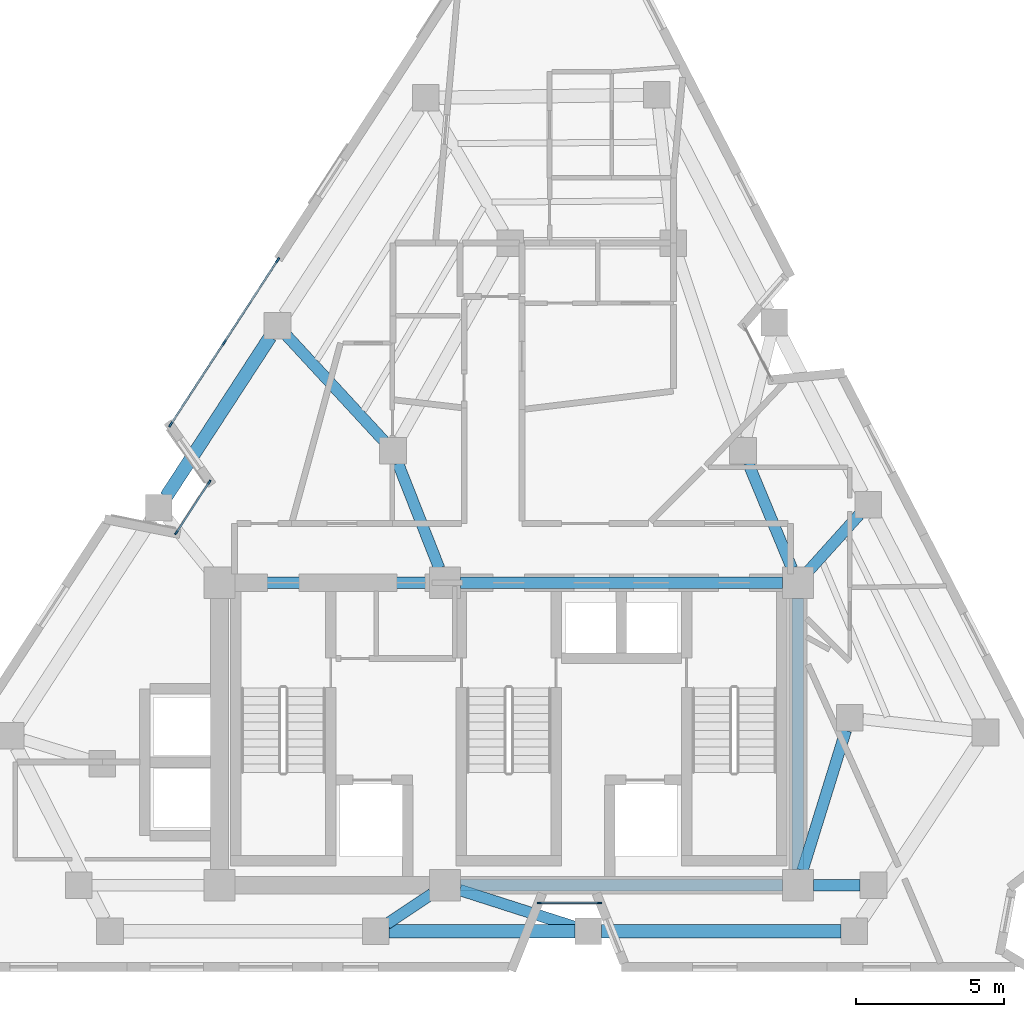
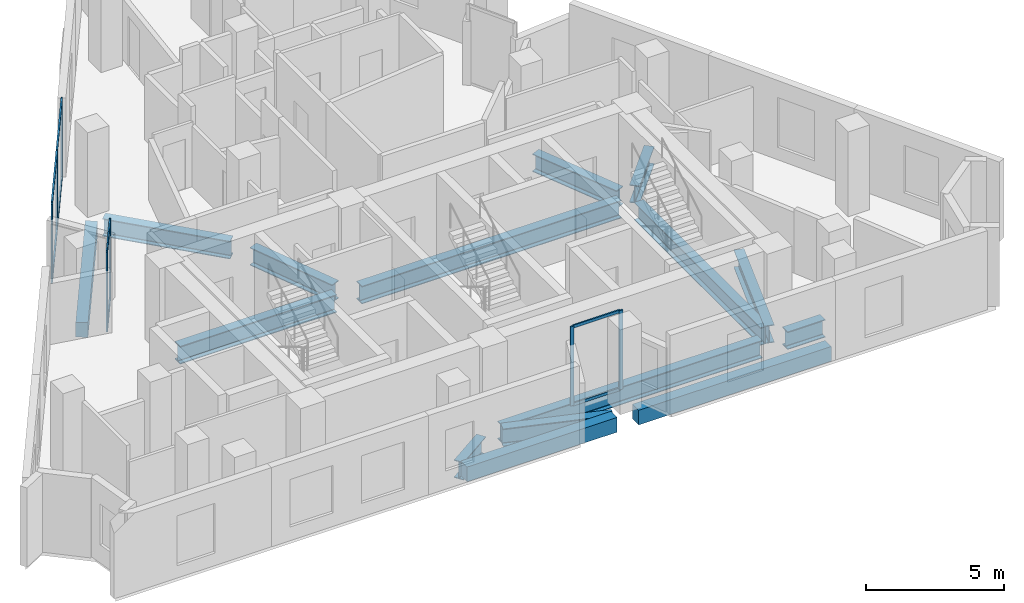
# One storey, part 2 of 9: 15 beams, 15 members, 3 elements without a shape of their own.
"""IFC4 building model written with IfcOpenShell, lengths in metres."""

from ifc_helpers import new_model, si_unit, direction, frame, origin, origin_2d, place, context, subcontext, project, spatial, rectangle, i_section, extrude, material, layer, layer_set, material_profile, profile_set, type_object, element, aggregate, save


model = new_model("IFC4")

# Units and contexts
model_context = context("Model", 3, precision=1e-05, world=origin(), true_north=direction((0.0, 1.0)))
body_context = subcontext(model_context, "Body", "Model", "MODEL_VIEW")
ifc_project = project(units=[si_unit("LENGTHUNIT", "METRE"), si_unit("AREAUNIT", "SQUARE_METRE"), si_unit("VOLUMEUNIT", "CUBIC_METRE"), si_unit("PLANEANGLEUNIT", "RADIAN"), si_unit("MASSUNIT", "GRAM", prefix="KILO")], contexts=[model_context])

# Site, building, storey
site_placement = place(None, origin())
site = spatial("IfcSite", under=ifc_project, at=site_placement, CompositionType="ELEMENT")
building_placement = place(site_placement, origin())
building = spatial("IfcBuilding", under=site, at=building_placement, Name="Almagre Mirador Tower", CompositionType="ELEMENT")
storey_placement = place(building_placement, frame((0.0, 0.0, 214.5)))
storey = spatial("IfcBuildingStorey", under=building, at=storey_placement, Name="L55", CompositionType="ELEMENT", Elevation=214.5)

# Beams
ifc_material_1 = material(Name="Precast concrete C50/60", Category="concrete")
ifc_material_profile_1 = material_profile(ifc_material_1, rectangle(XDim=0.449951171875, YDim=0.64990234375, at=origin_2d()), Name="RC450X650")
ifc_profile_set_1 = profile_set([ifc_material_profile_1], Name="Precast concrete C50/60")
beam_type_1 = type_object("IfcBeamType", Name="BM-SPN-RC450X650", PredefinedType="SPANDREL", material=ifc_profile_set_1)
beam_1_placement = place(storey_placement, frame((33.26611328125, 3.0, -0.574951171875), z_axis=(1.0, 0.0, 0.0), x_axis=(0.0, 1.0, 0.0)))
element("IfcBeam", 1, at=beam_1_placement, inside=storey, type_object=beam_type_1, Name="L55 perimeter spandrel beam PC02-PC03", PredefinedType="SPANDREL", context=body_context, shape_type="SweptSolid", body=[
    extrude(rectangle(XDim=0.449951171875, YDim=0.64990234375, at=origin_2d()), origin(), (0.0, 0.0, 1.0), 6.267822265625),
])
beam_2_placement = place(storey_placement, frame((40.43408203125, 3.0, -0.574951171875), z_axis=(1.0, 0.0, 0.0), x_axis=(0.0, 1.0, 0.0)))
element("IfcBeam", 2, at=beam_2_placement, inside=storey, type_object=beam_type_1, Name="L55 perimeter spandrel beam PC03-PC04", PredefinedType="SPANDREL", context=body_context, shape_type="SweptSolid", body=[
    extrude(rectangle(XDim=0.449951171875, YDim=0.64990234375, at=origin_2d()), origin(), (0.0, 0.0, 1.0), 8.059814453125),
])
beam_3_placement = place(storey_placement, frame((29.260498046875, 23.039794921875, -0.574951171875), z_axis=(-0.545617994426, -0.838034011337, 0.0), x_axis=(0.838034011337, -0.545617994426, 0.0)))
element("IfcBeam", 3, at=beam_3_placement, inside=storey, type_object=beam_type_1, Name="L55 perimeter spandrel beam PC10-PC11", PredefinedType="SPANDREL", context=body_context, shape_type="SweptSolid", body=[
    extrude(rectangle(XDim=0.449951171875, YDim=0.64990234375, at=origin_2d()), origin(), (0.0, 0.0, 1.0), 6.431396484375),
])
ifc_material_2 = material(Name="Steel ASTM A992 Grade 50", Category="steel")
ifc_material_profile_2 = material_profile(ifc_material_2, i_section(OverallWidth=0.384033203125, OverallDepth=0.784912109375, WebThickness=0.019775390625, FlangeThickness=0.033447265625, FilletRadius=0.02392578125, at=origin_2d()), Name="W30X211")
ifc_profile_set_2 = profile_set([ifc_material_profile_2], Name="Steel ASTM A992 Grade 50")
beam_type_2 = type_object("IfcBeamType", Name="BM-STL-W30X211", PredefinedType="BEAM", material=ifc_profile_set_2)
beam_4_placement = place(storey_placement, frame((35.675048828125, 4.550048828125, -0.642578125), z_axis=(1.0, 0.0, 0.0), x_axis=(0.0, 1.0, 0.0)))
element("IfcBeam", 4, at=beam_4_placement, inside=storey, type_object=beam_type_2, Name="L55 core tie girder CC2-CC3", PredefinedType="BEAM", context=body_context, shape_type="SweptSolid", body=[
    extrude(i_section(OverallWidth=0.384033203125, OverallDepth=0.784912109375, WebThickness=0.019775390625, FlangeThickness=0.033447265625, FilletRadius=0.02392578125, at=origin_2d()), origin(), (0.0, 0.0, 1.0), 10.849853515625),
])
beam_5_placement = place(storey_placement, frame((28.074951171875, 14.75, -0.642578125), z_axis=(1.0, 0.0, 0.0), x_axis=(0.0, 1.0, 0.0)))
element("IfcBeam", 5, at=beam_5_placement, inside=storey, type_object=beam_type_2, Name="L55 core tie girder CC4-CC5", PredefinedType="BEAM", context=body_context, shape_type="SweptSolid", body=[
    extrude(i_section(OverallWidth=0.384033203125, OverallDepth=0.784912109375, WebThickness=0.019775390625, FlangeThickness=0.033447265625, FilletRadius=0.02392578125, at=origin_2d()), origin(), (0.0, 0.0, 1.0), 6.550048828125),
])
beam_6_placement = place(storey_placement, frame((35.675048828125, 14.75, -0.642578125), z_axis=(1.0, 0.0, 0.0), x_axis=(0.0, 1.0, 0.0)))
element("IfcBeam", 6, at=beam_6_placement, inside=storey, type_object=beam_type_2, Name="L55 core tie girder CC5-CC6", PredefinedType="BEAM", context=body_context, shape_type="SweptSolid", body=[
    extrude(i_section(OverallWidth=0.384033203125, OverallDepth=0.784912109375, WebThickness=0.019775390625, FlangeThickness=0.033447265625, FilletRadius=0.02392578125, at=origin_2d()), origin(), (0.0, 0.0, 1.0), 10.849853515625),
])
beam_7_placement = place(storey_placement, frame((47.050048828125, 5.074951171875, -0.642578125), z_axis=(0.0, 1.0, 0.0), x_axis=(-1.0, 0.0, 0.0)))
element("IfcBeam", 7, at=beam_7_placement, inside=storey, type_object=beam_type_2, Name="L55 core tie girder CC3-CC6", PredefinedType="BEAM", context=body_context, shape_type="SweptSolid", body=[
    extrude(i_section(OverallWidth=0.384033203125, OverallDepth=0.784912109375, WebThickness=0.019775390625, FlangeThickness=0.033447265625, FilletRadius=0.02392578125, at=origin_2d()), origin(), (0.0, 0.0, 1.0), 9.150146484375),
])
beam_8_placement = place(storey_placement, frame((49.14990234375, 4.550048828125, -0.642578125), z_axis=(-1.0, 0.0, 0.0), x_axis=(0.0, -1.0, 0.0)))
element("IfcBeam", 8, at=beam_8_placement, inside=storey, type_object=beam_type_2, Name="L55 core tie girder MC2-CC3", PredefinedType="BEAM", context=body_context, shape_type="SweptSolid", body=[
    extrude(i_section(OverallWidth=0.384033203125, OverallDepth=0.784912109375, WebThickness=0.019775390625, FlangeThickness=0.033447265625, FilletRadius=0.02392578125, at=origin_2d()), origin(), (0.0, 0.0, 1.0), 1.574951171875),
])
beam_9_placement = place(storey_placement, frame((48.6669921875, 9.77001953125, -0.642578125), z_axis=(-0.295901717967, -0.955218390372, 0.0), x_axis=(0.955218390372, -0.295901717967, 0.0)))
element("IfcBeam", 9, at=beam_9_placement, inside=storey, type_object=beam_type_2, Name="L55 core tie girder MC3-CC3", PredefinedType="BEAM", context=body_context, shape_type="SweptSolid", body=[
    extrude(i_section(OverallWidth=0.384033203125, OverallDepth=0.784912109375, WebThickness=0.019775390625, FlangeThickness=0.033447265625, FilletRadius=0.02392578125, at=origin_2d()), origin(), (0.0, 0.0, 1.0), 4.939697265625),
])
beam_10_placement = place(storey_placement, frame((45.372802734375, 18.784423828125, -0.642578125), z_axis=(0.383862140668, -0.923390414159, 0.0), x_axis=(0.923390414159, 0.383862140668, 0.0)))
element("IfcBeam", 10, at=beam_10_placement, inside=storey, type_object=beam_type_2, Name="L55 core tie girder MC5-CC6", PredefinedType="BEAM", context=body_context, shape_type="SweptSolid", body=[
    extrude(i_section(OverallWidth=0.384033203125, OverallDepth=0.784912109375, WebThickness=0.019775390625, FlangeThickness=0.033447265625, FilletRadius=0.02392578125, at=origin_2d()), origin(), (0.0, 0.0, 1.0), 3.843994140625),
])
beam_11_placement = place(storey_placement, frame((33.564697265625, 18.78125, -0.642578125), z_axis=(0.365999579355, -0.93061501595, 0.0), x_axis=(0.93061501595, 0.365999579355, 0.0)))
element("IfcBeam", 11, at=beam_11_placement, inside=storey, type_object=beam_type_2, Name="L55 core tie girder MC8-CC5", PredefinedType="BEAM", context=body_context, shape_type="SweptSolid", body=[
    extrude(i_section(OverallWidth=0.384033203125, OverallDepth=0.784912109375, WebThickness=0.019775390625, FlangeThickness=0.033447265625, FilletRadius=0.02392578125, at=origin_2d()), origin(), (0.0, 0.0, 1.0), 3.806884765625),
])
beam_12_placement = place(storey_placement, frame((33.19091796875, 3.248779296875, -0.642578125), z_axis=(0.832994863914, 0.553280721419, 0.0), x_axis=(-0.553280721419, 0.832994863914, 0.0)))
element("IfcBeam", 12, at=beam_12_placement, inside=storey, type_object=beam_type_2, Name="L55 radial floor girder PC02-CC2", PredefinedType="BEAM", context=body_context, shape_type="SweptSolid", body=[
    extrude(i_section(OverallWidth=0.384033203125, OverallDepth=0.784912109375, WebThickness=0.019775390625, FlangeThickness=0.033447265625, FilletRadius=0.02392578125, at=origin_2d()), origin(), (0.0, 0.0, 1.0), 1.826904296875),
])
beam_13_placement = place(storey_placement, frame((39.555419921875, 3.137451171875, -0.642578125), z_axis=(-0.952251894345, 0.305313494161, 0.0), x_axis=(-0.305313494161, -0.952251894345, 0.0)))
element("IfcBeam", 13, at=beam_13_placement, inside=storey, type_object=beam_type_2, Name="L55 radial floor girder PC03-CC2", PredefinedType="BEAM", context=body_context, shape_type="SweptSolid", body=[
    extrude(i_section(OverallWidth=0.384033203125, OverallDepth=0.784912109375, WebThickness=0.019775390625, FlangeThickness=0.033447265625, FilletRadius=0.02392578125, at=origin_2d()), origin(), (0.0, 0.0, 1.0), 4.101318359375),
])
beam_14_placement = place(storey_placement, frame((49.11572265625, 17.043701171875, -0.642578125), z_axis=(-0.66921216439, -0.743071382192, 0.0), x_axis=(0.743071382192, -0.66921216439, 0.0)))
element("IfcBeam", 14, at=beam_14_placement, inside=storey, type_object=beam_type_2, Name="L55 radial floor girder PC06-CC6", PredefinedType="BEAM", context=body_context, shape_type="SweptSolid", body=[
    extrude(i_section(OverallWidth=0.384033203125, OverallDepth=0.784912109375, WebThickness=0.019775390625, FlangeThickness=0.033447265625, FilletRadius=0.02392578125, at=origin_2d()), origin(), (0.0, 0.0, 1.0), 2.561767578125),
])
beam_15_placement = place(storey_placement, frame((29.811279296875, 23.08642578125, -0.642578125), z_axis=(0.678399511669, -0.734693203023, 0.0), x_axis=(0.734693203023, 0.678399511669, 0.0)))
element("IfcBeam", 15, at=beam_15_placement, inside=storey, type_object=beam_type_2, Name="L55 radial floor girder PC10-MC8", PredefinedType="BEAM", context=body_context, shape_type="SweptSolid", body=[
    extrude(i_section(OverallWidth=0.384033203125, OverallDepth=0.784912109375, WebThickness=0.019775390625, FlangeThickness=0.033447265625, FilletRadius=0.02392578125, at=origin_2d()), origin(), (0.0, 0.0, 1.0), 4.840087890625),
])

# Curtain wall, members
ifc_material_3 = material(Name="Black anodized aluminium", Category="aluminium")
ifc_layer_1 = layer(ifc_material_3, 0.169921875)
ifc_layer_set_1 = layer_set([ifc_layer_1], Name="Black anodized aluminium")
curtain_wall_type_1 = type_object("IfcCurtainWallType", Name="CW-CRS-SYS", PredefinedType="NOTDEFINED", material=ifc_layer_set_1)
curtain_wall_1_placement = place(storey_placement, origin())
curtain_wall_1 = element("IfcCurtainWall", 16, at=curtain_wall_1_placement, inside=storey, type_object=curtain_wall_type_1, Name="L55 vertical crease curtain wall 01", PredefinedType="NOTDEFINED")
ifc_material_4 = material(Name="Black anodized aluminium", Category="aluminium")
ifc_material_profile_3 = material_profile(ifc_material_4, rectangle(XDim=0.06005859375, YDim=0.14990234375, at=origin_2d()), Name="CWM60X150")
ifc_profile_set_3 = profile_set([ifc_material_profile_3], Name="Black anodized aluminium")
member_type_1 = type_object("IfcMemberType", Name="MBR-CWM60X150", PredefinedType="MULLION", material=ifc_profile_set_3)
member_1_placement = place(storey_placement, frame((26.097412109375, 16.441162109375, 0.0), z_axis=(0.0, 0.0, 1.0), x_axis=(-0.838038799313, 0.545610640334, 0.0)))
member_1 = element("IfcMember", 17, at=member_1_placement, type_object=member_type_1, Name="CW-4 mullion 1", PredefinedType="MULLION", context=body_context, shape_type="SweptSolid", body=[
    extrude(rectangle(XDim=0.06005859375, YDim=0.14990234375, at=origin_2d()), origin(), (0.0, 0.0, 1.0), 3.5),
])
member_2_placement = place(storey_placement, frame((27.20458984375, 18.141845703125, 0.0), z_axis=(0.0, 0.0, 1.0), x_axis=(-0.838038799313, 0.545610640334, 0.0)))
member_2 = element("IfcMember", 18, at=member_2_placement, type_object=member_type_1, Name="CW-4 mullion 2", PredefinedType="MULLION", context=body_context, shape_type="SweptSolid", body=[
    extrude(rectangle(XDim=0.06005859375, YDim=0.14990234375, at=origin_2d()), origin(), (0.0, 0.0, 1.0), 3.5),
])

curtain_wall_2_placement = place(storey_placement, origin())
curtain_wall_2 = element("IfcCurtainWall", 19, at=curtain_wall_2_placement, inside=storey, type_object=curtain_wall_type_1, Name="L55 vertical crease curtain wall 04", PredefinedType="NOTDEFINED")
member_3_placement = place(storey_placement, frame((40.35888671875, 3.949951171875, 0.0), z_axis=(0.0, 0.0, 1.0), x_axis=(0.0, -1.0, 0.0)))
member_3 = element("IfcMember", 20, at=member_3_placement, type_object=member_type_1, Name="CW-4 mullion 1", PredefinedType="MULLION", context=body_context, shape_type="SweptSolid", body=[
    extrude(rectangle(XDim=0.06005859375, YDim=0.14990234375, at=origin_2d()), origin(), (0.0, 0.0, 1.0), 3.5),
])
member_4_placement = place(storey_placement, frame((38.3291015625, 3.949951171875, 0.0), z_axis=(0.0, 0.0, 1.0), x_axis=(0.0, -1.0, 0.0)))
member_4 = element("IfcMember", 21, at=member_4_placement, type_object=member_type_1, Name="CW-4 mullion 2", PredefinedType="MULLION", context=body_context, shape_type="SweptSolid", body=[
    extrude(rectangle(XDim=0.06005859375, YDim=0.14990234375, at=origin_2d()), origin(), (0.0, 0.0, 1.0), 3.5),
])

ifc_material_5 = material(Name="Black anodized aluminium", Category="aluminium")
ifc_layer_2 = layer(ifc_material_5, 0.199951171875)
ifc_layer_set_2 = layer_set([ifc_layer_2], Name="Black anodized aluminium")
curtain_wall_type_2 = type_object("IfcCurtainWallType", Name="CW-RES-H-SYS", PredefinedType="NOTDEFINED", material=ifc_layer_set_2)
curtain_wall_3_placement = place(storey_placement, origin())
curtain_wall_3 = element("IfcCurtainWall", 22, at=curtain_wall_3_placement, inside=storey, type_object=curtain_wall_type_2, Name="L55 curtain wall run 02", PredefinedType="NOTDEFINED")
ifc_material_6 = material(Name="Black anodized aluminium", Category="aluminium")
ifc_material_profile_4 = material_profile(ifc_material_6, rectangle(XDim=0.06494140625, YDim=0.179931640625, at=origin_2d()), Name="CWM65X180")
ifc_profile_set_4 = profile_set([ifc_material_profile_4], Name="Black anodized aluminium")
member_type_2 = type_object("IfcMemberType", Name="MBR-CWM65X180", PredefinedType="MULLION", material=ifc_profile_set_4)
member_5_placement = place(storey_placement, frame((25.90380859375, 20.084228515625, 0.0), z_axis=(0.0, 0.0, 1.0), x_axis=(-0.838036296957, 0.545614483846, 0.0)))
member_5 = element("IfcMember", 23, at=member_5_placement, type_object=member_type_2, Name="CW-3 mullion 1", PredefinedType="MULLION", context=body_context, shape_type="SweptSolid", body=[
    extrude(rectangle(XDim=0.06494140625, YDim=0.179931640625, at=origin_2d()), origin(), (0.0, 0.0, 1.0), 3.5),
])
member_6_placement = place(storey_placement, frame((27.7080078125, 22.85546875, 0.0), z_axis=(0.0, 0.0, 1.0), x_axis=(-0.838036296957, 0.545614483846, 0.0)))
member_6 = element("IfcMember", 24, at=member_6_placement, type_object=member_type_2, Name="CW-3 mullion 2", PredefinedType="MULLION", context=body_context, shape_type="SweptSolid", body=[
    extrude(rectangle(XDim=0.06494140625, YDim=0.179931640625, at=origin_2d()), origin(), (0.0, 0.0, 1.0), 3.5),
])
member_7_placement = place(storey_placement, frame((29.51220703125, 25.626708984375, 0.0), z_axis=(0.0, 0.0, 1.0), x_axis=(-0.838036296957, 0.545614483846, 0.0)))
member_7 = element("IfcMember", 25, at=member_7_placement, type_object=member_type_2, Name="CW-3 mullion 3", PredefinedType="MULLION", context=body_context, shape_type="SweptSolid", body=[
    extrude(rectangle(XDim=0.06494140625, YDim=0.179931640625, at=origin_2d()), origin(), (0.0, 0.0, 1.0), 3.5),
])

# Member
ifc_material_7 = material(Name="Black anodized aluminium", Category="aluminium")
ifc_material_profile_5 = material_profile(ifc_material_7, rectangle(XDim=0.06005859375, YDim=0.1298828125, at=origin_2d()), Name="CWT60X130")
ifc_profile_set_5 = profile_set([ifc_material_profile_5], Name="Black anodized aluminium")
member_type_3 = type_object("IfcMemberType", Name="MBR-CWT60X130", PredefinedType="USERDEFINED", material=ifc_profile_set_5)
member_8_placement = place(storey_placement, frame((26.11376953125, 16.46630859375, 0.030029296875), z_axis=(0.545598259062, 0.838046860091, 0.0), x_axis=(-0.838046860091, 0.545598259062, 0.0)))
member_8 = element("IfcMember", 26, at=member_8_placement, type_object=member_type_3, Name="CW-4 transom 1.1", ObjectType="TRANSOM", PredefinedType="USERDEFINED", context=body_context, shape_type="SweptSolid", body=[
    extrude(rectangle(XDim=0.06005859375, YDim=0.1298828125, at=origin_2d()), origin(), (0.0, 0.0, 1.0), 1.96923828125),
])

member_9_placement = place(storey_placement, frame((26.11376953125, 16.46630859375, 3.469970703125), z_axis=(0.545598259062, 0.838046860091, 0.0), x_axis=(-0.838046860091, 0.545598259062, 0.0)))
member_9 = element("IfcMember", 27, at=member_9_placement, type_object=member_type_3, Name="CW-4 transom 1.2", ObjectType="TRANSOM", PredefinedType="USERDEFINED", context=body_context, shape_type="SweptSolid", body=[
    extrude(rectangle(XDim=0.06005859375, YDim=0.1298828125, at=origin_2d()), origin(), (0.0, 0.0, 1.0), 1.96923828125),
])

aggregate(curtain_wall_1, [member_1, member_2, member_8, member_9])

member_10_placement = place(storey_placement, frame((40.3291015625, 3.949951171875, 0.030029296875), z_axis=(-1.0, 0.0, 0.0), x_axis=(0.0, -1.0, 0.0)))
member_10 = element("IfcMember", 28, at=member_10_placement, type_object=member_type_3, Name="CW-4 transom 1.1", ObjectType="TRANSOM", PredefinedType="USERDEFINED", context=body_context, shape_type="SweptSolid", body=[
    extrude(rectangle(XDim=0.06005859375, YDim=0.1298828125, at=origin_2d()), origin(), (0.0, 0.0, 1.0), 1.97021484375),
])

member_11_placement = place(storey_placement, frame((40.3291015625, 3.949951171875, 3.469970703125), z_axis=(-1.0, 0.0, 0.0), x_axis=(0.0, -1.0, 0.0)))
member_11 = element("IfcMember", 29, at=member_11_placement, type_object=member_type_3, Name="CW-4 transom 1.2", ObjectType="TRANSOM", PredefinedType="USERDEFINED", context=body_context, shape_type="SweptSolid", body=[
    extrude(rectangle(XDim=0.06005859375, YDim=0.1298828125, at=origin_2d()), origin(), (0.0, 0.0, 1.0), 1.97021484375),
])

aggregate(curtain_wall_2, [member_3, member_4, member_10, member_11])

ifc_material_8 = material(Name="Black anodized aluminium", Category="aluminium")
ifc_material_profile_6 = material_profile(ifc_material_8, rectangle(XDim=0.06494140625, YDim=0.14990234375, at=origin_2d()), Name="CWT65X150")
ifc_profile_set_6 = profile_set([ifc_material_profile_6], Name="Black anodized aluminium")
member_type_4 = type_object("IfcMemberType", Name="MBR-CWT65X150", PredefinedType="USERDEFINED", material=ifc_profile_set_6)
member_12_placement = place(storey_placement, frame((25.92138671875, 20.111572265625, 0.032470703125), z_axis=(0.545612905753, 0.838037324393, 0.0), x_axis=(-0.838037324393, 0.545612905753, 0.0)))
member_12 = element("IfcMember", 30, at=member_12_placement, type_object=member_type_4, Name="CW-3 transom 1.1", ObjectType="TRANSOM", PredefinedType="USERDEFINED", context=body_context, shape_type="SweptSolid", body=[
    extrude(rectangle(XDim=0.06494140625, YDim=0.14990234375, at=origin_2d()), origin(), (0.0, 0.0, 1.0), 3.241943359375),
])

member_13_placement = place(storey_placement, frame((25.92138671875, 20.111572265625, 3.467529296875), z_axis=(0.545612905753, 0.838037324393, 0.0), x_axis=(-0.838037324393, 0.545612905753, 0.0)))
member_13 = element("IfcMember", 31, at=member_13_placement, type_object=member_type_4, Name="CW-3 transom 1.2", ObjectType="TRANSOM", PredefinedType="USERDEFINED", context=body_context, shape_type="SweptSolid", body=[
    extrude(rectangle(XDim=0.06494140625, YDim=0.14990234375, at=origin_2d()), origin(), (0.0, 0.0, 1.0), 3.241943359375),
])

member_14_placement = place(storey_placement, frame((27.725830078125, 22.8828125, 0.032470703125), z_axis=(0.545612905753, 0.838037324393, 0.0), x_axis=(-0.838037324393, 0.545612905753, 0.0)))
member_14 = element("IfcMember", 32, at=member_14_placement, type_object=member_type_4, Name="CW-3 transom 2.1", ObjectType="TRANSOM", PredefinedType="USERDEFINED", context=body_context, shape_type="SweptSolid", body=[
    extrude(rectangle(XDim=0.06494140625, YDim=0.14990234375, at=origin_2d()), origin(), (0.0, 0.0, 1.0), 3.241943359375),
])

member_15_placement = place(storey_placement, frame((27.725830078125, 22.8828125, 3.467529296875), z_axis=(0.545612905753, 0.838037324393, 0.0), x_axis=(-0.838037324393, 0.545612905753, 0.0)))
member_15 = element("IfcMember", 33, at=member_15_placement, type_object=member_type_4, Name="CW-3 transom 2.2", ObjectType="TRANSOM", PredefinedType="USERDEFINED", context=body_context, shape_type="SweptSolid", body=[
    extrude(rectangle(XDim=0.06494140625, YDim=0.14990234375, at=origin_2d()), origin(), (0.0, 0.0, 1.0), 3.241943359375),
])

aggregate(curtain_wall_3, [member_5, member_6, member_7, member_12, member_13, member_14, member_15])

save(model, "model.ifc")
